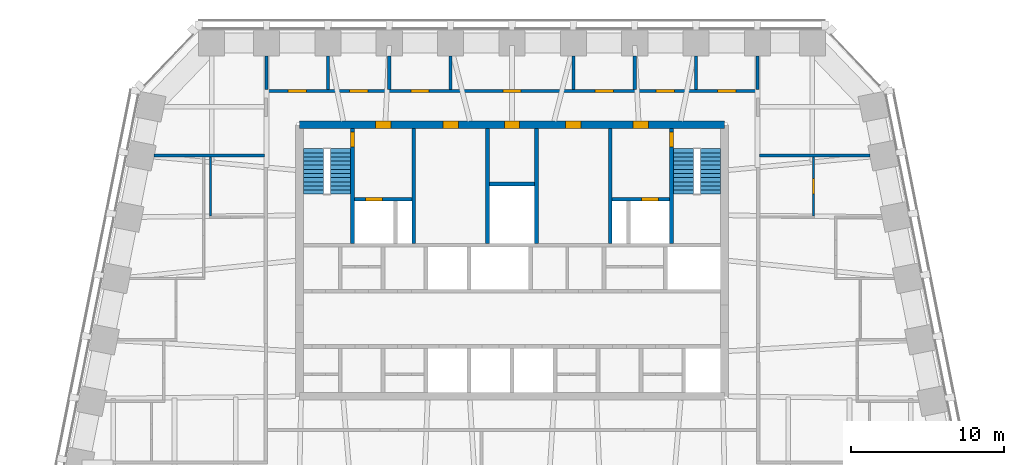
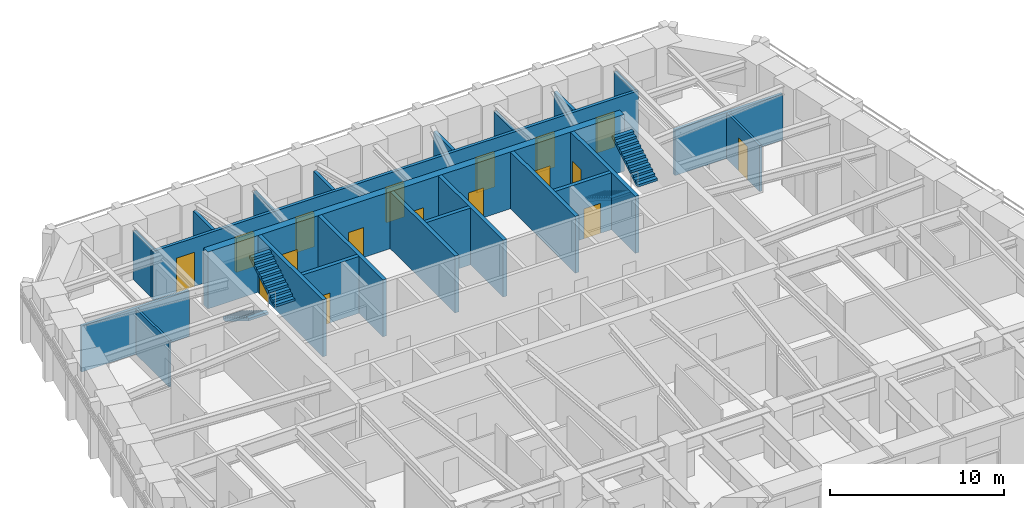
# One storey, part 9 of 11: 23 walls, 17 doors, 4 stair flights, 17 openings, 2 elements without a shape of their own.
"""IFC4 building model written with IfcOpenShell, lengths in metres."""

from ifc_helpers import new_model, si_unit, direction, frame, frame_2d, origin, place, context, subcontext, project, spatial, polyline, rectangle, outline, extrude, material, layer, layer_set, type_object, element, fill, aggregate, save


model = new_model("IFC4")

# Units and contexts
model_context = context("Model", 3, precision=1e-05, world=origin(), true_north=direction((0.0, 1.0)))
body_context = subcontext(model_context, "Body", "Model", "MODEL_VIEW")
ifc_project = project(units=[si_unit("LENGTHUNIT", "METRE"), si_unit("AREAUNIT", "SQUARE_METRE"), si_unit("VOLUMEUNIT", "CUBIC_METRE"), si_unit("PLANEANGLEUNIT", "RADIAN"), si_unit("MASSUNIT", "GRAM", prefix="KILO")], contexts=[model_context])

# Site, building, storey
site_placement = place(None, origin())
site = spatial("IfcSite", under=ifc_project, at=site_placement, CompositionType="ELEMENT")
building_placement = place(site_placement, origin())
building = spatial("IfcBuilding", under=site, at=building_placement, Name="Isbrekke Arena Tower", CompositionType="ELEMENT")
storey_placement = place(building_placement, frame((0.0, 0.0, 268.0)))
storey = spatial("IfcBuildingStorey", under=building, at=storey_placement, Name="L62", CompositionType="ELEMENT", Elevation=268.0)

# Wall, openings, doors
ifc_material_1 = material(Name="Concrete B55 (C55/67)", Category="concrete")
ifc_layer_1 = layer(ifc_material_1, 0.5)
ifc_layer_set_1 = layer_set([ifc_layer_1], Name="CW5 CORE WALL 500")
wall_type_1 = type_object("IfcWallType", Name="CW5 CORE WALL 500", PredefinedType="SHEAR", material=ifc_layer_set_1)
wall_1_placement = place(storey_placement, frame((13.85009765625, 23.85009765625, 0.0), z_axis=(0.0, 0.0, 1.0), x_axis=(-1.0, 0.0, 0.0)))
wall_1 = element("IfcWall", 1, at=wall_1_placement, inside=storey, type_object=wall_type_1, Name="Core wall N L62", PredefinedType="SHEAR", context=body_context, shape_type="SweptSolid", body=[
    extrude(rectangle(XDim=27.7001953125, YDim=0.5, at=frame_2d((13.85009765625, 0.0))), origin(), (0.0, 0.0, 1.0), 4.0),
])
opening_1_placement = place(wall_1_placement, frame((21.75, 0.0, 0.0)))
opening_1 = element("IfcOpeningElement", 2, at=opening_1_placement, cuts=wall_1, Name="Opening D3", PredefinedType="OPENING", context=body_context, shape_type="SweptSolid", body=[
    extrude(rectangle(XDim=1.0, YDim=2.10009765625, at=frame_2d((0.5, 1.050048828125))), frame((0.0, 0.264892578125, 0.0), z_axis=(0.0, -1.0, 0.0), x_axis=(1.0, 0.0, 0.0)), (0.0, 0.0, 1.0), 0.52978515625),
])
opening_2_placement = place(wall_1_placement, frame((4.949951171875, 0.0, 0.0)))
opening_2 = element("IfcOpeningElement", 3, at=opening_2_placement, cuts=wall_1, Name="Opening D3", PredefinedType="OPENING", context=body_context, shape_type="SweptSolid", body=[
    extrude(rectangle(XDim=1.0, YDim=2.10009765625, at=frame_2d((0.5, 1.050048828125))), frame((0.0, 0.264892578125, 0.0), z_axis=(0.0, -1.0, 0.0), x_axis=(1.0, 0.0, 0.0)), (0.0, 0.0, 1.0), 0.52978515625),
])
opening_3_placement = place(wall_1_placement, frame((17.35009765625, 0.0, 0.0)))
opening_3 = element("IfcOpeningElement", 4, at=opening_3_placement, cuts=wall_1, Name="Opening D4", PredefinedType="OPENING", context=body_context, shape_type="SweptSolid", body=[
    extrude(rectangle(XDim=1.0, YDim=2.10009765625, at=frame_2d((0.5, 1.050048828125))), frame((0.0, 0.264892578125, 0.0), z_axis=(0.0, -1.0, 0.0), x_axis=(1.0, 0.0, 0.0)), (0.0, 0.0, 1.0), 0.52978515625),
])
opening_4_placement = place(wall_1_placement, frame((13.35009765625, 0.0, 0.0)))
opening_4 = element("IfcOpeningElement", 5, at=opening_4_placement, cuts=wall_1, Name="Opening D4", PredefinedType="OPENING", context=body_context, shape_type="SweptSolid", body=[
    extrude(rectangle(XDim=1.0, YDim=2.10009765625, at=frame_2d((0.5, 1.050048828125))), frame((0.0, 0.264892578125, 0.0), z_axis=(0.0, -1.0, 0.0), x_axis=(1.0, 0.0, 0.0)), (0.0, 0.0, 1.0), 0.52978515625),
])
opening_5_placement = place(wall_1_placement, frame((9.35009765625, 0.0, 0.0)))
opening_5 = element("IfcOpeningElement", 6, at=opening_5_placement, cuts=wall_1, Name="Opening D4", PredefinedType="OPENING", context=body_context, shape_type="SweptSolid", body=[
    extrude(rectangle(XDim=1.0, YDim=2.10009765625, at=frame_2d((0.5, 1.050048828125))), frame((0.0, 0.264892578125, 0.0), z_axis=(0.0, -1.0, 0.0), x_axis=(1.0, 0.0, 0.0)), (0.0, 0.0, 1.0), 0.52978515625),
])
ifc_material_2 = material(Name="Steel fire door", Category="steel")
door_type_1 = type_object("IfcDoorType", Name="D3 FIRE LOBBY DOOR 1000 x 2100", OperationType="SINGLE_SWING_RIGHT", PredefinedType="DOOR", material=ifc_material_2)
door_1_placement = place(opening_1_placement, origin())
door_1 = element("IfcDoor", 7, at=door_1_placement, inside=storey, type_object=door_type_1, Name="D3 fire-fighting lobby door L62", OperationType="SINGLE_SWING_RIGHT", OverallHeight=2.10009765625, OverallWidth=1.0, PredefinedType="DOOR", context=body_context, shape_type="SweptSolid", body=[
    extrude(rectangle(XDim=1.0, YDim=2.10009765625, at=frame_2d((0.5, 1.050048828125))), frame((0.0, 0.249755859375, 0.0), z_axis=(0.0, -1.0, 0.0), x_axis=(1.0, 0.0, 0.0)), (0.0, 0.0, 1.0), 0.49951171875),
])
fill(opening_1, door_1)
door_2_placement = place(opening_2_placement, origin())
door_2 = element("IfcDoor", 8, at=door_2_placement, inside=storey, type_object=door_type_1, Name="D3 fire-fighting lobby door L62", OperationType="SINGLE_SWING_RIGHT", OverallHeight=2.10009765625, OverallWidth=1.0, PredefinedType="DOOR", context=body_context, shape_type="SweptSolid", body=[
    extrude(rectangle(XDim=1.0, YDim=2.10009765625, at=frame_2d((0.5, 1.050048828125))), frame((0.0, 0.249755859375, 0.0), z_axis=(0.0, -1.0, 0.0), x_axis=(1.0, 0.0, 0.0)), (0.0, 0.0, 1.0), 0.49951171875),
])
fill(opening_2, door_2)
ifc_material_3 = material(Name="Timber door", Category="wood")
door_type_2 = type_object("IfcDoorType", Name="D4 WC DOOR 1000 x 2100", OperationType="SINGLE_SWING_LEFT", PredefinedType="DOOR", material=ifc_material_3)
door_3_placement = place(opening_3_placement, origin())
door_3 = element("IfcDoor", 9, at=door_3_placement, inside=storey, type_object=door_type_2, Name="D4 wc female door L62", OperationType="SINGLE_SWING_LEFT", OverallHeight=2.10009765625, OverallWidth=1.0, PredefinedType="DOOR", context=body_context, shape_type="SweptSolid", body=[
    extrude(rectangle(XDim=1.0, YDim=2.10009765625, at=frame_2d((0.5, 1.050048828125))), frame((0.0, 0.249755859375, 0.0), z_axis=(0.0, -1.0, 0.0), x_axis=(1.0, 0.0, 0.0)), (0.0, 0.0, 1.0), 0.49951171875),
])
fill(opening_3, door_3)
door_4_placement = place(opening_4_placement, origin())
door_4 = element("IfcDoor", 10, at=door_4_placement, inside=storey, type_object=door_type_2, Name="D4 accessible wc door L62", OperationType="SINGLE_SWING_LEFT", OverallHeight=2.10009765625, OverallWidth=1.0, PredefinedType="DOOR", context=body_context, shape_type="SweptSolid", body=[
    extrude(rectangle(XDim=1.0, YDim=2.10009765625, at=frame_2d((0.5, 1.050048828125))), frame((0.0, 0.249755859375, 0.0), z_axis=(0.0, -1.0, 0.0), x_axis=(1.0, 0.0, 0.0)), (0.0, 0.0, 1.0), 0.49951171875),
])
fill(opening_4, door_4)
door_5_placement = place(opening_5_placement, origin())
door_5 = element("IfcDoor", 11, at=door_5_placement, inside=storey, type_object=door_type_2, Name="D4 wc male door L62", OperationType="SINGLE_SWING_LEFT", OverallHeight=2.10009765625, OverallWidth=1.0, PredefinedType="DOOR", context=body_context, shape_type="SweptSolid", body=[
    extrude(rectangle(XDim=1.0, YDim=2.10009765625, at=frame_2d((0.5, 1.050048828125))), frame((0.0, 0.249755859375, 0.0), z_axis=(0.0, -1.0, 0.0), x_axis=(1.0, 0.0, 0.0)), (0.0, 0.0, 1.0), 0.49951171875),
])
fill(opening_5, door_5)

# Wall, opening, door
ifc_material_4 = material(Name="Concrete B45 (C45/55)", Category="concrete")
ifc_layer_2 = layer(ifc_material_4, 0.25)
ifc_layer_set_2 = layer_set([ifc_layer_2], Name="CW6 SHAFT WALL 250")
wall_type_2 = type_object("IfcWallType", Name="CW6 SHAFT WALL 250", PredefinedType="SHEAR", material=ifc_layer_set_2)
wall_2_placement = place(storey_placement, frame((-10.39990234375, 16.125, 0.0), z_axis=(0.0, 0.0, 1.0), x_axis=(0.0, 1.0, 0.0)))
wall_2 = element("IfcWall", 12, at=wall_2_placement, inside=storey, type_object=wall_type_2, Name="Core wall NV01 L62", PredefinedType="SHEAR", context=body_context, shape_type="SweptSolid", body=[
    extrude(rectangle(XDim=7.47509765625, YDim=0.25, at=frame_2d((3.737548828125, 0.0))), origin(), (0.0, 0.0, 1.0), 4.0),
])
opening_6_placement = place(wall_2_placement, frame((6.27490234375, 0.0, 0.0)))
opening_6 = element("IfcOpeningElement", 13, at=opening_6_placement, cuts=wall_2, Name="Opening D2", PredefinedType="OPENING", context=body_context, shape_type="SweptSolid", body=[
    extrude(rectangle(XDim=1.0, YDim=2.10009765625, at=frame_2d((0.5, 1.050048828125))), frame((0.0, 0.139892578125, 0.0), z_axis=(0.0, -1.0, 0.0), x_axis=(1.0, 0.0, 0.0)), (0.0, 0.0, 1.0), 0.27978515625),
])
ifc_material_5 = material(Name="Steel fire door", Category="steel")
door_type_3 = type_object("IfcDoorType", Name="D2 STAIR DOOR 1000 x 2100", OperationType="SINGLE_SWING_LEFT", PredefinedType="DOOR", material=ifc_material_5)
door_6_placement = place(opening_6_placement, origin())
door_6 = element("IfcDoor", 14, at=door_6_placement, inside=storey, type_object=door_type_3, Name="D2 stair door ST1 L62", OperationType="SINGLE_SWING_LEFT", OverallHeight=2.10009765625, OverallWidth=1.0, PredefinedType="DOOR", context=body_context, shape_type="SweptSolid", body=[
    extrude(rectangle(XDim=1.0, YDim=2.10009765625, at=frame_2d((0.5, 1.050048828125))), frame((0.0, 0.124755859375, 0.0), z_axis=(0.0, -1.0, 0.0), x_axis=(1.0, 0.0, 0.0)), (0.0, 0.0, 1.0), 0.24951171875),
])
fill(opening_6, door_6)

# Walls
for number, where, z_axis, x_axis, name in (
    (15, (-6.39990234375, 16.125, 0.0), (0.0, 0.0, 1.0), (0.0, 1.0, 0.0), "Core wall NV02 L62"),
    (16, (-1.60009765625, 16.125, 0.0), (0.0, 0.0, 1.0), (0.0, 1.0, 0.0), "Core wall NV03 L62"),
    (17, (1.60009765625, 16.125, 0.0), (0.0, 0.0, 1.0), (0.0, 1.0, 0.0), "Core wall NV04 L62"),
    (18, (6.39990234375, 16.125, 0.0), (0.0, 0.0, 1.0), (0.0, 1.0, 0.0), "Core wall NV05 L62"),
):
    element("IfcWall", number, at=place(storey_placement, frame(where, z_axis=z_axis, x_axis=x_axis)), inside=storey, type_object=wall_type_2, Name=name, PredefinedType="SHEAR", context=body_context, shape_type="SweptSolid", body=[
        extrude(rectangle(XDim=7.47509765625, YDim=0.25, at=frame_2d((3.737548828125, 0.0))), origin(), (0.0, 0.0, 1.0), 4.0),
    ])

# Wall, opening, door
wall_3_placement = place(storey_placement, frame((10.39990234375, 16.125, 0.0), z_axis=(0.0, 0.0, 1.0), x_axis=(0.0, 1.0, 0.0)))
wall_3 = element("IfcWall", 19, at=wall_3_placement, inside=storey, type_object=wall_type_2, Name="Core wall NV06 L62", PredefinedType="SHEAR", context=body_context, shape_type="SweptSolid", body=[
    extrude(rectangle(XDim=7.47509765625, YDim=0.25, at=frame_2d((3.737548828125, 0.0))), origin(), (0.0, 0.0, 1.0), 4.0),
])
opening_7_placement = place(wall_3_placement, frame((6.27490234375, 0.0, 0.0)))
opening_7 = element("IfcOpeningElement", 20, at=opening_7_placement, cuts=wall_3, Name="Opening D2", PredefinedType="OPENING", context=body_context, shape_type="SweptSolid", body=[
    extrude(rectangle(XDim=1.0, YDim=2.10009765625, at=frame_2d((0.5, 1.050048828125))), frame((0.0, 0.139892578125, 0.0), z_axis=(0.0, -1.0, 0.0), x_axis=(1.0, 0.0, 0.0)), (0.0, 0.0, 1.0), 0.27978515625),
])
door_7_placement = place(opening_7_placement, origin())
door_7 = element("IfcDoor", 21, at=door_7_placement, inside=storey, type_object=door_type_3, Name="D2 stair door ST2 L62", OperationType="SINGLE_SWING_LEFT", OverallHeight=2.10009765625, OverallWidth=1.0, PredefinedType="DOOR", context=body_context, shape_type="SweptSolid", body=[
    extrude(rectangle(XDim=1.0, YDim=2.10009765625, at=frame_2d((0.5, 1.050048828125))), frame((0.0, 0.124755859375, 0.0), z_axis=(0.0, -1.0, 0.0), x_axis=(1.0, 0.0, 0.0)), (0.0, 0.0, 1.0), 0.24951171875),
])
fill(opening_7, door_7)

wall_4_placement = place(storey_placement, frame((-10.27490234375, 19.0, 0.0), z_axis=(0.0, 0.0, 1.0), x_axis=(1.0, 0.0, 0.0)))
wall_4 = element("IfcWall", 22, at=wall_4_placement, inside=storey, type_object=wall_type_2, Name="Core wall NFW L62", PredefinedType="SHEAR", context=body_context, shape_type="SweptSolid", body=[
    extrude(rectangle(XDim=3.75, YDim=0.25, at=frame_2d((1.875, 0.0))), origin(), (0.0, 0.0, 1.0), 4.0),
])
opening_8_placement = place(wall_4_placement, frame((0.72509765625, 0.0, 0.0)))
opening_8 = element("IfcOpeningElement", 23, at=opening_8_placement, cuts=wall_4, Name="Opening LD2", PredefinedType="OPENING", context=body_context, shape_type="SweptSolid", body=[
    extrude(rectangle(XDim=1.10009765625, YDim=2.10009765625, at=frame_2d((0.550048828125, 1.050048828125))), frame((0.0, 0.139892578125, 0.0), z_axis=(0.0, -1.0, 0.0), x_axis=(1.0, 0.0, 0.0)), (0.0, 0.0, 1.0), 0.27978515625),
])
ifc_material_6 = material(Name="Stainless steel lift landing door", Category="steel")
door_type_4 = type_object("IfcDoorType", Name="LD2 FIRE-FIGHTING LIFT LANDING DOOR 1100 x 2100", OperationType="SLIDING_TO_RIGHT", PredefinedType="DOOR", material=ifc_material_6)
door_8_placement = place(opening_8_placement, origin())
door_8 = element("IfcDoor", 24, at=door_8_placement, inside=storey, type_object=door_type_4, Name="LD2 lift landing door LF L62", OperationType="SLIDING_TO_RIGHT", OverallHeight=2.10009765625, OverallWidth=1.10009765625, PredefinedType="DOOR", context=body_context, shape_type="SweptSolid", body=[
    extrude(rectangle(XDim=1.10009765625, YDim=2.10009765625, at=frame_2d((0.550048828125, 1.050048828125))), frame((0.0, 0.124755859375, 0.0), z_axis=(0.0, -1.0, 0.0), x_axis=(1.0, 0.0, 0.0)), (0.0, 0.0, 1.0), 0.24951171875),
])
fill(opening_8, door_8)

wall_5_placement = place(storey_placement, frame((6.52490234375, 19.0, 0.0), z_axis=(0.0, 0.0, 1.0), x_axis=(1.0, 0.0, 0.0)))
wall_5 = element("IfcWall", 25, at=wall_5_placement, inside=storey, type_object=wall_type_2, Name="Core wall NFE L62", PredefinedType="SHEAR", context=body_context, shape_type="SweptSolid", body=[
    extrude(rectangle(XDim=3.75, YDim=0.25, at=frame_2d((1.875, 0.0))), origin(), (0.0, 0.0, 1.0), 4.0),
])
opening_9_placement = place(wall_5_placement, frame((1.925048828125, 0.0, 0.0)))
opening_9 = element("IfcOpeningElement", 26, at=opening_9_placement, cuts=wall_5, Name="Opening LD2", PredefinedType="OPENING", context=body_context, shape_type="SweptSolid", body=[
    extrude(rectangle(XDim=1.10009765625, YDim=2.10009765625, at=frame_2d((0.550048828125, 1.050048828125))), frame((0.0, 0.139892578125, 0.0), z_axis=(0.0, -1.0, 0.0), x_axis=(1.0, 0.0, 0.0)), (0.0, 0.0, 1.0), 0.27978515625),
])
door_9_placement = place(opening_9_placement, origin())
door_9 = element("IfcDoor", 27, at=door_9_placement, inside=storey, type_object=door_type_4, Name="LD2 lift landing door LF L62", OperationType="SLIDING_TO_RIGHT", OverallHeight=2.10009765625, OverallWidth=1.10009765625, PredefinedType="DOOR", context=body_context, shape_type="SweptSolid", body=[
    extrude(rectangle(XDim=1.10009765625, YDim=2.10009765625, at=frame_2d((0.550048828125, 1.050048828125))), frame((0.0, 0.124755859375, 0.0), z_axis=(0.0, -1.0, 0.0), x_axis=(1.0, 0.0, 0.0)), (0.0, 0.0, 1.0), 0.24951171875),
])
fill(opening_9, door_9)

# Walls
wall_6_placement = place(storey_placement, frame((-1.47509765625, 20.0, 0.0), z_axis=(0.0, 0.0, 1.0), x_axis=(1.0, 0.0, 0.0)))
element("IfcWall", 28, at=wall_6_placement, inside=storey, type_object=wall_type_2, Name="Core wall NWC L62", PredefinedType="SHEAR", context=body_context, shape_type="SweptSolid", body=[
    extrude(rectangle(XDim=2.9501953125, YDim=0.25, at=frame_2d((1.47509765625, 0.0))), origin(), (0.0, 0.0, 1.0), 4.0),
])
ifc_material_7 = material(Name="Gypsum board partition on steel studs", Category="steel")
ifc_layer_3 = layer(ifc_material_7, 0.14990234375)
ifc_layer_set_3 = layer_set([ifc_layer_3], Name="IW1 PARTITION 150")
wall_type_3 = type_object("IfcWallType", Name="IW1 PARTITION 150", PredefinedType="PARTITIONING", material=ifc_layer_set_3)
wall_7_placement = place(storey_placement, frame((-19.64990234375, 17.9150390625, 0.0), z_axis=(0.0, 0.0, 1.0), x_axis=(0.0, 1.0, 0.0)))
element("IfcWall", 29, at=wall_7_placement, inside=storey, type_object=wall_type_3, Name="IW1 partition 150 L62", PredefinedType="PARTITIONING", context=body_context, shape_type="SweptSolid", body=[
    extrude(rectangle(XDim=3.824951171875, YDim=0.14990234375, at=frame_2d((1.91259765625, 0.0))), origin(), (0.0, 0.0, 1.0), 3.22998046875),
])

# Wall, opening, door
wall_8_placement = place(storey_placement, frame((19.64990234375, 17.9150390625, 0.0), z_axis=(0.0, 0.0, 1.0), x_axis=(0.0, 1.0, 0.0)))
wall_8 = element("IfcWall", 30, at=wall_8_placement, inside=storey, type_object=wall_type_3, Name="IW1 partition 150 L62", PredefinedType="PARTITIONING", context=body_context, shape_type="SweptSolid", body=[
    extrude(rectangle(XDim=3.824951171875, YDim=0.14990234375, at=frame_2d((1.91259765625, 0.0))), origin(), (0.0, 0.0, 1.0), 3.22998046875),
])
opening_10_placement = place(wall_8_placement, frame((1.425048828125, 0.0, 0.0)))
opening_10 = element("IfcOpeningElement", 31, at=opening_10_placement, cuts=wall_8, Name="Opening D10", PredefinedType="OPENING", context=body_context, shape_type="SweptSolid", body=[
    extrude(rectangle(XDim=1.0, YDim=2.300048828125, at=frame_2d((0.5, 1.14990234375))), frame((0.0, 0.08984375, 0.0), z_axis=(0.0, -1.0, 0.0), x_axis=(1.0, 0.0, 0.0)), (0.0, 0.0, 1.0), 0.1796875),
])
ifc_material_8 = material(Name="Timber door", Category="wood")
door_type_5 = type_object("IfcDoorType", Name="D10 OFFICE DOOR 1000 x 2300", OperationType="SINGLE_SWING_LEFT", PredefinedType="DOOR", material=ifc_material_8)
door_10_placement = place(opening_10_placement, origin())
door_10 = element("IfcDoor", 32, at=door_10_placement, inside=storey, type_object=door_type_5, Name="D10 pantry door L62", OperationType="SINGLE_SWING_LEFT", OverallHeight=2.300048828125, OverallWidth=1.0, PredefinedType="DOOR", context=body_context, shape_type="SweptSolid", body=[
    extrude(rectangle(XDim=1.0, YDim=2.300048828125, at=frame_2d((0.5, 1.14990234375))), frame((0.0, 0.07470703125, 0.0), z_axis=(0.0, -1.0, 0.0), x_axis=(1.0, 0.0, 0.0)), (0.0, 0.0, 1.0), 0.1494140625),
])
fill(opening_10, door_10)

# Walls
ifc_material_9 = material(Name="Gypsum board fire-cell wall on steel studs, two layers each side", Category="steel")
ifc_layer_4 = layer(ifc_material_9, 0.199951171875)
ifc_layer_set_4 = layer_set([ifc_layer_4], Name="IW3 FIRE-CELL WALL 200")
wall_type_4 = type_object("IfcWallType", Name="IW3 FIRE-CELL WALL 200", PredefinedType="PARTITIONING", material=ifc_layer_set_4)
for number, where, z_axis, x_axis, name in (
    (33, (-23.32373046875, 21.840087890625, 0.0), (0.0, 0.0, 1.0), (1.0, 0.0, 0.0), "IW3 fire-cell wall 200 L62"),
    (34, (16.14990234375, 21.840087890625, 0.0), (0.0, 0.0, 1.0), (1.0, 0.0, 0.0), "IW3 fire-cell wall 200 L62"),
):
    element("IfcWall", number, at=place(storey_placement, frame(where, z_axis=z_axis, x_axis=x_axis)), inside=storey, type_object=wall_type_4, Name=name, PredefinedType="PARTITIONING", context=body_context, shape_type="SweptSolid", body=[
        extrude(rectangle(XDim=7.173828125, YDim=0.199951171875, at=frame_2d((3.5869140625, 0.0))), origin(), (0.0, 0.0, 1.0), 3.22998046875),
    ])

# Wall, openings, doors
wall_9_placement = place(storey_placement, frame((-16.14990234375, 26.050048828125, 0.0), z_axis=(0.0, 0.0, 1.0), x_axis=(1.0, 0.0, 0.0)))
wall_9 = element("IfcWall", 35, at=wall_9_placement, inside=storey, type_object=wall_type_4, Name="IW3 fire-cell wall 200 L62", PredefinedType="PARTITIONING", context=body_context, shape_type="SweptSolid", body=[
    extrude(rectangle(XDim=32.2998046875, YDim=0.199951171875, at=frame_2d((16.14990234375, 0.0))), origin(), (0.0, 0.0, 1.0), 3.41796875),
])
opening_11_placement = place(wall_9_placement, frame((1.550048828125, 0.0, 0.0)))
opening_11 = element("IfcOpeningElement", 36, at=opening_11_placement, cuts=wall_9, Name="Opening D12", PredefinedType="OPENING", context=body_context, shape_type="SweptSolid", body=[
    extrude(rectangle(XDim=1.199951171875, YDim=2.39990234375, at=frame_2d((0.60009765625, 1.199951171875))), frame((0.0, 0.11474609375, 0.0), z_axis=(0.0, -1.0, 0.0), x_axis=(1.0, 0.0, 0.0)), (0.0, 0.0, 1.0), 0.229736328125),
])
opening_12_placement = place(wall_9_placement, frame((5.550048828125, 0.0, 0.0)))
opening_12 = element("IfcOpeningElement", 37, at=opening_12_placement, cuts=wall_9, Name="Opening D12", PredefinedType="OPENING", context=body_context, shape_type="SweptSolid", body=[
    extrude(rectangle(XDim=1.199951171875, YDim=2.39990234375, at=frame_2d((0.60009765625, 1.199951171875))), frame((0.0, 0.11474609375, 0.0), z_axis=(0.0, -1.0, 0.0), x_axis=(1.0, 0.0, 0.0)), (0.0, 0.0, 1.0), 0.229736328125),
])
opening_13_placement = place(wall_9_placement, frame((9.550048828125, 0.0, 0.0)))
opening_13 = element("IfcOpeningElement", 38, at=opening_13_placement, cuts=wall_9, Name="Opening D12", PredefinedType="OPENING", context=body_context, shape_type="SweptSolid", body=[
    extrude(rectangle(XDim=1.199951171875, YDim=2.39990234375, at=frame_2d((0.60009765625, 1.199951171875))), frame((0.0, 0.11474609375, 0.0), z_axis=(0.0, -1.0, 0.0), x_axis=(1.0, 0.0, 0.0)), (0.0, 0.0, 1.0), 0.229736328125),
])
opening_14_placement = place(wall_9_placement, frame((15.550048828125, 0.0, 0.0)))
opening_14 = element("IfcOpeningElement", 39, at=opening_14_placement, cuts=wall_9, Name="Opening D12", PredefinedType="OPENING", context=body_context, shape_type="SweptSolid", body=[
    extrude(rectangle(XDim=1.199951171875, YDim=2.39990234375, at=frame_2d((0.60009765625, 1.199951171875))), frame((0.0, 0.11474609375, 0.0), z_axis=(0.0, -1.0, 0.0), x_axis=(1.0, 0.0, 0.0)), (0.0, 0.0, 1.0), 0.229736328125),
])
opening_15_placement = place(wall_9_placement, frame((21.550048828125, 0.0, 0.0)))
opening_15 = element("IfcOpeningElement", 40, at=opening_15_placement, cuts=wall_9, Name="Opening D12", PredefinedType="OPENING", context=body_context, shape_type="SweptSolid", body=[
    extrude(rectangle(XDim=1.199951171875, YDim=2.39990234375, at=frame_2d((0.60009765625, 1.199951171875))), frame((0.0, 0.11474609375, 0.0), z_axis=(0.0, -1.0, 0.0), x_axis=(1.0, 0.0, 0.0)), (0.0, 0.0, 1.0), 0.229736328125),
])
opening_16_placement = place(wall_9_placement, frame((25.550048828125, 0.0, 0.0)))
opening_16 = element("IfcOpeningElement", 41, at=opening_16_placement, cuts=wall_9, Name="Opening D12", PredefinedType="OPENING", context=body_context, shape_type="SweptSolid", body=[
    extrude(rectangle(XDim=1.199951171875, YDim=2.39990234375, at=frame_2d((0.60009765625, 1.199951171875))), frame((0.0, 0.11474609375, 0.0), z_axis=(0.0, -1.0, 0.0), x_axis=(1.0, 0.0, 0.0)), (0.0, 0.0, 1.0), 0.229736328125),
])
opening_17_placement = place(wall_9_placement, frame((29.550048828125, 0.0, 0.0)))
opening_17 = element("IfcOpeningElement", 42, at=opening_17_placement, cuts=wall_9, Name="Opening D12", PredefinedType="OPENING", context=body_context, shape_type="SweptSolid", body=[
    extrude(rectangle(XDim=1.199951171875, YDim=2.39990234375, at=frame_2d((0.60009765625, 1.199951171875))), frame((0.0, 0.11474609375, 0.0), z_axis=(0.0, -1.0, 0.0), x_axis=(1.0, 0.0, 0.0)), (0.0, 0.0, 1.0), 0.229736328125),
])
ifc_material_10 = material(Name="Timber fire door with vision panel", Category="wood")
door_type_6 = type_object("IfcDoorType", Name="D12 SUITE ENTRANCE DOOR 1200 x 2400", OperationType="SINGLE_SWING_LEFT", PredefinedType="DOOR", material=ifc_material_10)
door_11_placement = place(opening_11_placement, origin())
door_11 = element("IfcDoor", 43, at=door_11_placement, inside=storey, type_object=door_type_6, Name="D12 suite entrance NB1 door L62", OperationType="SINGLE_SWING_LEFT", OverallHeight=2.39990234375, OverallWidth=1.199951171875, PredefinedType="DOOR", context=body_context, shape_type="SweptSolid", body=[
    extrude(rectangle(XDim=1.199951171875, YDim=2.39990234375, at=frame_2d((0.60009765625, 1.199951171875))), frame((0.0, 0.099609375, 0.0), z_axis=(0.0, -1.0, 0.0), x_axis=(1.0, 0.0, 0.0)), (0.0, 0.0, 1.0), 0.199462890625),
])
fill(opening_11, door_11)
door_12_placement = place(opening_12_placement, origin())
door_12 = element("IfcDoor", 44, at=door_12_placement, inside=storey, type_object=door_type_6, Name="D12 suite entrance NB2 door L62", OperationType="SINGLE_SWING_LEFT", OverallHeight=2.39990234375, OverallWidth=1.199951171875, PredefinedType="DOOR", context=body_context, shape_type="SweptSolid", body=[
    extrude(rectangle(XDim=1.199951171875, YDim=2.39990234375, at=frame_2d((0.60009765625, 1.199951171875))), frame((0.0, 0.099609375, 0.0), z_axis=(0.0, -1.0, 0.0), x_axis=(1.0, 0.0, 0.0)), (0.0, 0.0, 1.0), 0.199462890625),
])
fill(opening_12, door_12)
door_13_placement = place(opening_13_placement, origin())
door_13 = element("IfcDoor", 45, at=door_13_placement, inside=storey, type_object=door_type_6, Name="D12 suite entrance NB3 door L62", OperationType="SINGLE_SWING_LEFT", OverallHeight=2.39990234375, OverallWidth=1.199951171875, PredefinedType="DOOR", context=body_context, shape_type="SweptSolid", body=[
    extrude(rectangle(XDim=1.199951171875, YDim=2.39990234375, at=frame_2d((0.60009765625, 1.199951171875))), frame((0.0, 0.099609375, 0.0), z_axis=(0.0, -1.0, 0.0), x_axis=(1.0, 0.0, 0.0)), (0.0, 0.0, 1.0), 0.199462890625),
])
fill(opening_13, door_13)
door_14_placement = place(opening_14_placement, origin())
door_14 = element("IfcDoor", 46, at=door_14_placement, inside=storey, type_object=door_type_6, Name="D12 suite entrance NB4 door L62", OperationType="SINGLE_SWING_LEFT", OverallHeight=2.39990234375, OverallWidth=1.199951171875, PredefinedType="DOOR", context=body_context, shape_type="SweptSolid", body=[
    extrude(rectangle(XDim=1.199951171875, YDim=2.39990234375, at=frame_2d((0.60009765625, 1.199951171875))), frame((0.0, 0.099609375, 0.0), z_axis=(0.0, -1.0, 0.0), x_axis=(1.0, 0.0, 0.0)), (0.0, 0.0, 1.0), 0.199462890625),
])
fill(opening_14, door_14)
door_15_placement = place(opening_15_placement, origin())
door_15 = element("IfcDoor", 47, at=door_15_placement, inside=storey, type_object=door_type_6, Name="D12 suite entrance NB5 door L62", OperationType="SINGLE_SWING_LEFT", OverallHeight=2.39990234375, OverallWidth=1.199951171875, PredefinedType="DOOR", context=body_context, shape_type="SweptSolid", body=[
    extrude(rectangle(XDim=1.199951171875, YDim=2.39990234375, at=frame_2d((0.60009765625, 1.199951171875))), frame((0.0, 0.099609375, 0.0), z_axis=(0.0, -1.0, 0.0), x_axis=(1.0, 0.0, 0.0)), (0.0, 0.0, 1.0), 0.199462890625),
])
fill(opening_15, door_15)
door_16_placement = place(opening_16_placement, origin())
door_16 = element("IfcDoor", 48, at=door_16_placement, inside=storey, type_object=door_type_6, Name="D12 suite entrance NB6 door L62", OperationType="SINGLE_SWING_LEFT", OverallHeight=2.39990234375, OverallWidth=1.199951171875, PredefinedType="DOOR", context=body_context, shape_type="SweptSolid", body=[
    extrude(rectangle(XDim=1.199951171875, YDim=2.39990234375, at=frame_2d((0.60009765625, 1.199951171875))), frame((0.0, 0.099609375, 0.0), z_axis=(0.0, -1.0, 0.0), x_axis=(1.0, 0.0, 0.0)), (0.0, 0.0, 1.0), 0.199462890625),
])
fill(opening_16, door_16)
door_17_placement = place(opening_17_placement, origin())
door_17 = element("IfcDoor", 49, at=door_17_placement, inside=storey, type_object=door_type_6, Name="D12 suite entrance NB7 door L62", OperationType="SINGLE_SWING_LEFT", OverallHeight=2.39990234375, OverallWidth=1.199951171875, PredefinedType="DOOR", context=body_context, shape_type="SweptSolid", body=[
    extrude(rectangle(XDim=1.199951171875, YDim=2.39990234375, at=frame_2d((0.60009765625, 1.199951171875))), frame((0.0, 0.099609375, 0.0), z_axis=(0.0, -1.0, 0.0), x_axis=(1.0, 0.0, 0.0)), (0.0, 0.0, 1.0), 0.199462890625),
])
fill(opening_17, door_17)

# Walls
for number, where, z_axis, x_axis, name in (
    (50, (-16.0, 26.14990234375, 0.0), (0.0, 0.0, 1.0), (0.0, 1.0, 0.0), "IW3 fire-cell wall 200 L62"),
    (51, (-12.0, 26.14990234375, 0.0), (0.0, 0.0, 1.0), (0.0, 1.0, 0.0), "IW3 fire-cell wall 200 L62"),
    (52, (-8.0, 26.14990234375, 0.0), (0.0, 0.0, 1.0), (0.0, 1.0, 0.0), "IW3 fire-cell wall 200 L62"),
    (53, (-4.0, 26.14990234375, 0.0), (0.0, 0.0, 1.0), (0.0, 1.0, 0.0), "IW3 fire-cell wall 200 L62"),
    (54, (4.0, 26.14990234375, 0.0), (0.0, 0.0, 1.0), (0.0, 1.0, 0.0), "IW3 fire-cell wall 200 L62"),
    (55, (8.0, 26.14990234375, 0.0), (0.0, 0.0, 1.0), (0.0, 1.0, 0.0), "IW3 fire-cell wall 200 L62"),
    (56, (12.0, 26.14990234375, 0.0), (0.0, 0.0, 1.0), (0.0, 1.0, 0.0), "IW3 fire-cell wall 200 L62"),
    (57, (16.0, 26.14990234375, 0.0), (0.0, 0.0, 1.0), (0.0, 1.0, 0.0), "IW3 fire-cell wall 200 L62"),
):
    element("IfcWall", number, at=place(storey_placement, frame(where, z_axis=z_axis, x_axis=x_axis)), inside=storey, type_object=wall_type_4, Name=name, PredefinedType="PARTITIONING", context=body_context, shape_type="SweptSolid", body=[
        extrude(rectangle(XDim=2.175048828125, YDim=0.199951171875, at=frame_2d((1.08740234375, 0.0))), origin(), (0.0, 0.0, 1.0), 3.41796875),
    ])

# Stair, stair flights
ifc_material_11 = material(Name="Concrete B45 (C45/55) precast", Category="concrete")
stair_type = type_object("IfcStairType", Name="ST40 STAIR 1300 WIDE, 24 RISERS 167", PredefinedType="HALF_TURN_STAIR", material=ifc_material_11)
stair_1_placement = place(storey_placement, origin())
stair_1 = element("IfcStair", 58, at=stair_1_placement, inside=storey, type_object=stair_type, Name="ST1 stair L62", PredefinedType="HALF_TURN_STAIR")
ifc_material_12 = material(Name="Concrete B45 (C45/55) precast", Category="concrete")
stair_flight_type = type_object("IfcStairFlightType", Name="SF 1300 FLIGHT", PredefinedType="STRAIGHT", material=ifc_material_12)
stair_flight_1_placement = place(storey_placement, frame((-12.949951171875, 22.300048828125, 0.0), z_axis=(0.0, 0.0, 1.0), x_axis=(0.0, -1.0, 0.0)))
stair_flight_1 = element("IfcStairFlight", 59, at=stair_flight_1_placement, type_object=stair_flight_type, Name="ST1 flight 1", NumberOfRisers=12, NumberOfTreads=11, PredefinedType="STRAIGHT", RiserHeight=0.166666667, TreadLength=0.27, context=body_context, shape_type="SweptSolid", body=[
    extrude(outline(polyline([(0.0, 0.0), (0.0, 0.166748046875), (0.27001953125, 0.166748046875), (0.27001953125, 0.333251953125), (0.5400390625, 0.333251953125), (0.5400390625, 0.5), (0.81005859375, 0.5), (0.81005859375, 0.666748046875), (1.080078125, 0.666748046875), (1.080078125, 0.833251953125), (1.35009765625, 0.833251953125), (1.35009765625, 1.0), (1.6201171875, 1.0), (1.6201171875, 1.166748046875), (1.889892578125, 1.166748046875), (1.889892578125, 1.333251953125), (2.159912109375, 1.333251953125), (2.159912109375, 1.5), (2.429931640625, 1.5), (2.429931640625, 1.666748046875), (2.699951171875, 1.666748046875), (2.699951171875, 1.833251953125), (2.969970703125, 1.833251953125), (2.969970703125, 2.0), (2.969970703125, 1.6572265625), (0.285400390625, 0.0), (0.0, 0.0)])), frame((0.0, 0.64990234375, 0.0), z_axis=(0.0, -1.0, 0.0), x_axis=(1.0, 0.0, 0.0)), (0.0, 0.0, 1.0), 1.300048828125),
])
stair_flight_2_placement = place(storey_placement, frame((-11.175048828125, 19.330078125, 2.0), z_axis=(0.0, 0.0, 1.0), x_axis=(0.0, 1.0, 0.0)))
stair_flight_2 = element("IfcStairFlight", 60, at=stair_flight_2_placement, type_object=stair_flight_type, Name="ST1 flight 2", NumberOfRisers=12, NumberOfTreads=11, PredefinedType="STRAIGHT", RiserHeight=0.166666667, TreadLength=0.27, context=body_context, shape_type="SweptSolid", body=[
    extrude(outline(polyline([(0.0, 0.0), (0.0, 0.166748046875), (0.27001953125, 0.166748046875), (0.27001953125, 0.333251953125), (0.5400390625, 0.333251953125), (0.5400390625, 0.5), (0.81005859375, 0.5), (0.81005859375, 0.666748046875), (1.080078125, 0.666748046875), (1.080078125, 0.833251953125), (1.35009765625, 0.833251953125), (1.35009765625, 1.0), (1.6201171875, 1.0), (1.6201171875, 1.166748046875), (1.889892578125, 1.166748046875), (1.889892578125, 1.333251953125), (2.159912109375, 1.333251953125), (2.159912109375, 1.5), (2.429931640625, 1.5), (2.429931640625, 1.666748046875), (2.699951171875, 1.666748046875), (2.699951171875, 1.833251953125), (2.969970703125, 1.833251953125), (2.969970703125, 2.0), (2.969970703125, 1.6572265625), (0.285400390625, 0.0), (0.0, 0.0)])), frame((0.0, 0.64990234375, 0.0), z_axis=(0.0, -1.0, 0.0), x_axis=(1.0, 0.0, 0.0)), (0.0, 0.0, 1.0), 1.300048828125),
])
aggregate(stair_1, [stair_flight_1, stair_flight_2])

stair_2_placement = place(storey_placement, origin())
stair_2 = element("IfcStair", 61, at=stair_2_placement, inside=storey, type_object=stair_type, Name="ST2 stair L62", PredefinedType="HALF_TURN_STAIR")
stair_flight_3_placement = place(storey_placement, frame((11.175048828125, 22.300048828125, 0.0), z_axis=(0.0, 0.0, 1.0), x_axis=(0.0, -1.0, 0.0)))
stair_flight_3 = element("IfcStairFlight", 62, at=stair_flight_3_placement, type_object=stair_flight_type, Name="ST2 flight 1", NumberOfRisers=12, NumberOfTreads=11, PredefinedType="STRAIGHT", RiserHeight=0.166666667, TreadLength=0.27, context=body_context, shape_type="SweptSolid", body=[
    extrude(outline(polyline([(0.0, 0.0), (0.0, 0.166748046875), (0.27001953125, 0.166748046875), (0.27001953125, 0.333251953125), (0.5400390625, 0.333251953125), (0.5400390625, 0.5), (0.81005859375, 0.5), (0.81005859375, 0.666748046875), (1.080078125, 0.666748046875), (1.080078125, 0.833251953125), (1.35009765625, 0.833251953125), (1.35009765625, 1.0), (1.6201171875, 1.0), (1.6201171875, 1.166748046875), (1.889892578125, 1.166748046875), (1.889892578125, 1.333251953125), (2.159912109375, 1.333251953125), (2.159912109375, 1.5), (2.429931640625, 1.5), (2.429931640625, 1.666748046875), (2.699951171875, 1.666748046875), (2.699951171875, 1.833251953125), (2.969970703125, 1.833251953125), (2.969970703125, 2.0), (2.969970703125, 1.6572265625), (0.285400390625, 0.0), (0.0, 0.0)])), frame((0.0, 0.64990234375, 0.0), z_axis=(0.0, -1.0, 0.0), x_axis=(1.0, 0.0, 0.0)), (0.0, 0.0, 1.0), 1.300048828125),
])
stair_flight_4_placement = place(storey_placement, frame((12.949951171875, 19.330078125, 2.0), z_axis=(0.0, 0.0, 1.0), x_axis=(0.0, 1.0, 0.0)))
stair_flight_4 = element("IfcStairFlight", 63, at=stair_flight_4_placement, type_object=stair_flight_type, Name="ST2 flight 2", NumberOfRisers=12, NumberOfTreads=11, PredefinedType="STRAIGHT", RiserHeight=0.166666667, TreadLength=0.27, context=body_context, shape_type="SweptSolid", body=[
    extrude(outline(polyline([(0.0, 0.0), (0.0, 0.166748046875), (0.27001953125, 0.166748046875), (0.27001953125, 0.333251953125), (0.5400390625, 0.333251953125), (0.5400390625, 0.5), (0.81005859375, 0.5), (0.81005859375, 0.666748046875), (1.080078125, 0.666748046875), (1.080078125, 0.833251953125), (1.35009765625, 0.833251953125), (1.35009765625, 1.0), (1.6201171875, 1.0), (1.6201171875, 1.166748046875), (1.889892578125, 1.166748046875), (1.889892578125, 1.333251953125), (2.159912109375, 1.333251953125), (2.159912109375, 1.5), (2.429931640625, 1.5), (2.429931640625, 1.666748046875), (2.699951171875, 1.666748046875), (2.699951171875, 1.833251953125), (2.969970703125, 1.833251953125), (2.969970703125, 2.0), (2.969970703125, 1.6572265625), (0.285400390625, 0.0), (0.0, 0.0)])), frame((0.0, 0.64990234375, 0.0), z_axis=(0.0, -1.0, 0.0), x_axis=(1.0, 0.0, 0.0)), (0.0, 0.0, 1.0), 1.300048828125),
])
aggregate(stair_2, [stair_flight_3, stair_flight_4])

save(model, "model.ifc")
